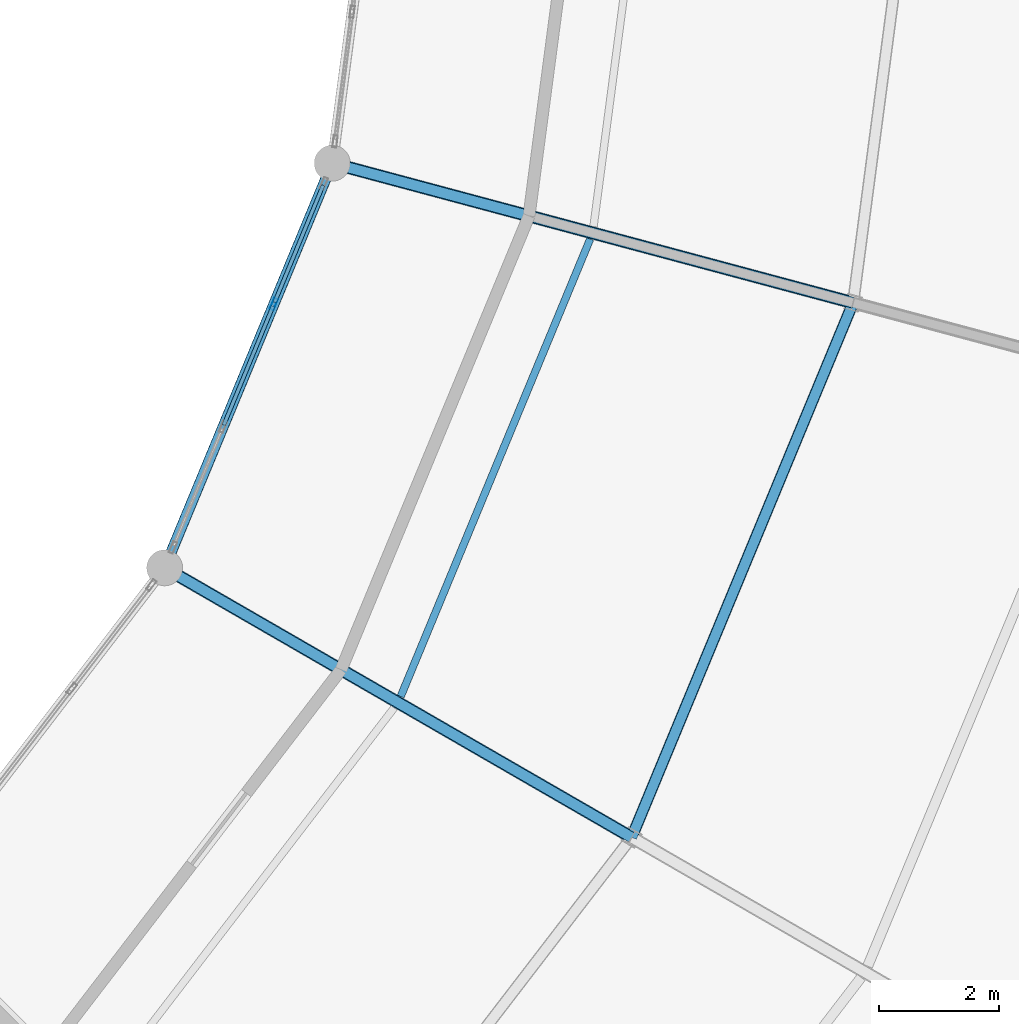
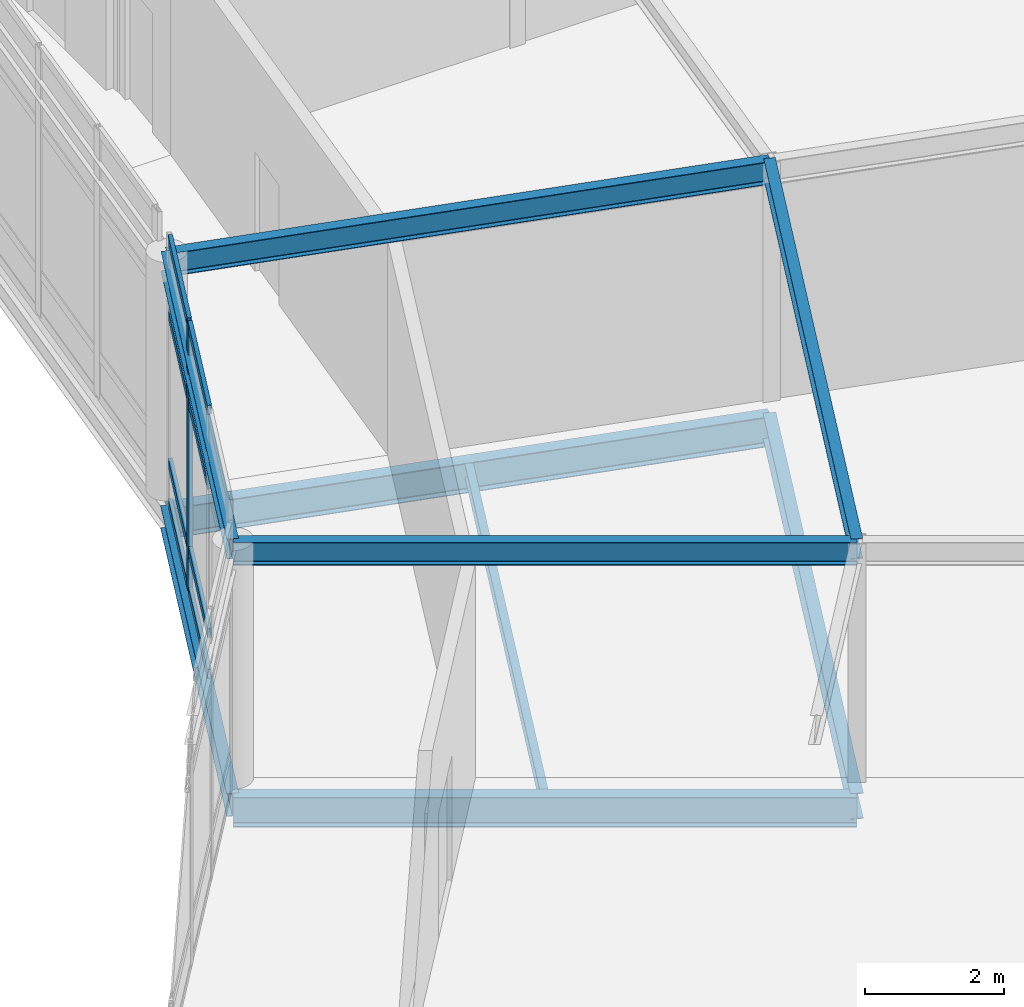
# One storey, part 110 of 185: 9 beams, 9 members, 1 element without a shape of its own.
"""IFC4 building model written with IfcOpenShell, lengths in metres."""

from ifc_helpers import new_model, si_unit, direction, frame, origin, origin_2d, place, context, subcontext, project, spatial, hollow_rectangle, i_section, extrude, material, material_profile, profile_set, type_object, element, aggregate, save


model = new_model("IFC4")

# Units and contexts
model_context = context("Model", 3, precision=1e-05, world=origin(), true_north=direction((0.0, 1.0)))
body_context = subcontext(model_context, "Body", "Model", "MODEL_VIEW")
ifc_project = project(units=[si_unit("LENGTHUNIT", "METRE"), si_unit("AREAUNIT", "SQUARE_METRE"), si_unit("VOLUMEUNIT", "CUBIC_METRE"), si_unit("PLANEANGLEUNIT", "RADIAN"), si_unit("MASSUNIT", "GRAM", prefix="KILO")], contexts=[model_context])

# Site, building, storey
site_placement = place(None, origin())
site = spatial("IfcSite", under=ifc_project, at=site_placement, CompositionType="ELEMENT")
building_placement = place(site_placement, origin())
building = spatial("IfcBuilding", under=site, at=building_placement, Name="Vondelvale Polytechnic", CompositionType="ELEMENT")
storey_placement = place(building_placement, frame((0.0, 0.0, 9.60009765625)))
storey = spatial("IfcBuildingStorey", under=building, at=storey_placement, Name="L02", CompositionType="ELEMENT", Elevation=9.60009765625)

# Beams
ifc_material_1 = material(Name="Steel 300PLUS (fy = 300 MPa)", Category="steel")
ifc_material_profile_1 = material_profile(ifc_material_1, i_section(OverallWidth=0.1708984375, OverallDepth=0.35205078125, WebThickness=0.0068359375, FlangeThickness=0.009765625, FilletRadius=0.011474609375, at=origin_2d()), Name="360UB44.7")
ifc_profile_set_1 = profile_set([ifc_material_profile_1], Name="Steel 300PLUS (fy = 300 MPa)")
beam_type_1 = type_object("IfcBeamType", Name="BM-UB360L", PredefinedType="BEAM", material=ifc_profile_set_1)
beam_1_placement = place(storey_placement, frame((126.248779296875, 58.0, 4.02392578125), z_axis=(0.382667428841, 0.923886161226, 0.0), x_axis=(-0.923886161226, 0.382667428841, 0.0)))
element("IfcBeam", 1, at=beam_1_placement, inside=storey, type_object=beam_type_1, Name="L02 RE B-24", PredefinedType="BEAM", context=body_context, shape_type="SweptSolid", body=[
    extrude(i_section(OverallWidth=0.1708984375, OverallDepth=0.35205078125, WebThickness=0.0068359375, FlangeThickness=0.009765625, FilletRadius=0.011474609375, at=origin_2d()), origin(), (0.0, 0.0, 1.0), 7.3095703125),
])
beam_2_placement = place(storey_placement, frame((134.04296875, 53.5, 4.02392578125), z_axis=(0.38268516011, 0.923878816854, 0.0), x_axis=(-0.923878816854, 0.38268516011, 0.0)))
element("IfcBeam", 2, at=beam_2_placement, inside=storey, type_object=beam_type_1, Name="L02 RE B-24", PredefinedType="BEAM", context=body_context, shape_type="SweptSolid", body=[
    extrude(i_section(OverallWidth=0.1708984375, OverallDepth=0.35205078125, WebThickness=0.0068359375, FlangeThickness=0.009765625, FilletRadius=0.011474609375, at=origin_2d()), origin(), (0.0, 0.0, 1.0), 9.658935546875),
])
ifc_material_profile_2 = material_profile(ifc_material_1, i_section(OverallWidth=0.177978515625, OverallDepth=0.403076171875, WebThickness=0.007568359375, FlangeThickness=0.010986328125, FilletRadius=0.011474609375, at=origin_2d()), Name="410UB53.7")
ifc_profile_set_2 = profile_set([ifc_material_profile_2], Name="Steel 300PLUS (fy = 300 MPa)")
beam_type_2 = type_object("IfcBeamType", Name="BM-UB410L", PredefinedType="BEAM", material=ifc_profile_set_2)
beam_3_placement = place(storey_placement, frame((126.248779296875, 58.0, -0.481689453125), z_axis=(0.382667428841, 0.923886161226, 0.0), x_axis=(-0.923886161226, 0.382667428841, 0.0)))
element("IfcBeam", 3, at=beam_3_placement, inside=storey, type_object=beam_type_2, Name="L02 RB B-23", PredefinedType="BEAM", context=body_context, shape_type="SweptSolid", body=[
    extrude(i_section(OverallWidth=0.177978515625, OverallDepth=0.403076171875, WebThickness=0.007568359375, FlangeThickness=0.010986328125, FilletRadius=0.011474609375, at=origin_2d()), origin(), (0.0, 0.0, 1.0), 7.3095703125),
])
for number, where, z_axis, x_axis, name in (
    (4, (126.248779296875, 58.0, 3.998291015625), (0.866024315419, -0.5000018851, 0.0), (0.5000018851, 0.866024315419, 0.0), "L02 REG B-23"),
    (5, (129.0458984375, 64.753173828125, 3.998291015625), (0.965919958881, -0.258840941576, 0.0), (0.258840941576, 0.965919958881, 0.0), "L02 REG B-23"),
):
    element("IfcBeam", number, at=place(storey_placement, frame(where, z_axis=z_axis, x_axis=x_axis)), inside=storey, type_object=beam_type_2, Name=name, PredefinedType="BEAM", context=body_context, shape_type="SweptSolid", body=[
        extrude(i_section(OverallWidth=0.177978515625, OverallDepth=0.403076171875, WebThickness=0.007568359375, FlangeThickness=0.010986328125, FilletRadius=0.011474609375, at=origin_2d()), origin(), (0.0, 0.0, 1.0), 9.0),
    ])
ifc_material_profile_3 = material_profile(ifc_material_1, i_section(OverallWidth=0.18994140625, OverallDepth=0.4541015625, WebThickness=0.008544921875, FlangeThickness=0.0126953125, FilletRadius=0.011474609375, at=origin_2d()), Name="460UB67.1")
ifc_profile_set_3 = profile_set([ifc_material_profile_3], Name="Steel 300PLUS (fy = 300 MPa)")
beam_type_3 = type_object("IfcBeamType", Name="BM-UB460L", PredefinedType="BEAM", material=ifc_profile_set_3)
beam_4_placement = place(storey_placement, frame((134.04296875, 53.5, -0.507080078125), z_axis=(0.38268516011, 0.923878816854, 0.0), x_axis=(-0.923878816854, 0.38268516011, 0.0)))
element("IfcBeam", 6, at=beam_4_placement, inside=storey, type_object=beam_type_3, Name="L02 RB B-22", PredefinedType="BEAM", context=body_context, shape_type="SweptSolid", body=[
    extrude(i_section(OverallWidth=0.18994140625, OverallDepth=0.4541015625, WebThickness=0.008544921875, FlangeThickness=0.0126953125, FilletRadius=0.011474609375, at=origin_2d()), origin(), (0.0, 0.0, 1.0), 9.658935546875),
])
ifc_material_profile_4 = material_profile(ifc_material_1, i_section(OverallWidth=0.208984375, OverallDepth=0.528076171875, WebThickness=0.009521484375, FlangeThickness=0.01318359375, FilletRadius=0.013916015625, at=origin_2d()), Name="530UB82.0")
ifc_profile_set_4 = profile_set([ifc_material_profile_4], Name="Steel 300PLUS (fy = 300 MPa)")
beam_type_4 = type_object("IfcBeamType", Name="BM-UB530L", PredefinedType="BEAM", material=ifc_profile_set_4)
for number, where, z_axis, x_axis, name in (
    (7, (126.248779296875, 58.0, -0.544189453125), (0.866024315419, -0.5000018851, 0.0), (0.5000018851, 0.866024315419, 0.0), "L02 RG B-21"),
    (8, (129.0458984375, 64.753173828125, -0.544189453125), (0.965919958881, -0.258840941576, 0.0), (0.258840941576, 0.965919958881, 0.0), "L02 RG B-21"),
):
    element("IfcBeam", number, at=place(storey_placement, frame(where, z_axis=z_axis, x_axis=x_axis)), inside=storey, type_object=beam_type_4, Name=name, PredefinedType="BEAM", context=body_context, shape_type="SweptSolid", body=[
        extrude(i_section(OverallWidth=0.208984375, OverallDepth=0.528076171875, WebThickness=0.009521484375, FlangeThickness=0.01318359375, FilletRadius=0.013916015625, at=origin_2d()), origin(), (0.0, 0.0, 1.0), 9.0),
    ])

# Curtain wall, members
ifc_material_2 = material(Name="Anodised extruded aluminium 6063-T6", Category="aluminium")
curtain_wall_type = type_object("IfcCurtainWallType", Name="CW-RING-CLOISTER", PredefinedType="NOTDEFINED", material=ifc_material_2)
curtain_wall_placement = place(storey_placement, origin())
curtain_wall = element("IfcCurtainWall", 9, at=curtain_wall_placement, inside=storey, type_object=curtain_wall_type, Name="L02 architectural curtain wall CW-03-366", PredefinedType="NOTDEFINED")
ifc_material_profile_5 = material_profile(ifc_material_2, hollow_rectangle(XDim=0.070068359375, YDim=0.199951171875, WallThickness=0.00390625, at=origin_2d()), Name="CW-MUL-200x70")
ifc_profile_set_5 = profile_set([ifc_material_profile_5], Name="Anodised extruded aluminium 6063-T6")
member_type_1 = type_object("IfcMemberType", Name="CW-MUL-70x200", PredefinedType="MULLION", material=ifc_profile_set_5)
member_1_placement = place(storey_placement, frame((128.0712890625, 62.400390625, 0.0), z_axis=(0.0, 0.0, 1.0), x_axis=(-0.923881562419, 0.382678531697, 0.0)))
member_1 = element("IfcMember", 10, at=member_1_placement, type_object=member_type_1, Name="CW-03-366 mullion 3", PredefinedType="MULLION", context=body_context, shape_type="SweptSolid", body=[
    extrude(hollow_rectangle(XDim=0.070068359375, YDim=0.199951171875, WallThickness=0.00390625, at=origin_2d()), origin(), (0.0, 0.0, 1.0), 4.713134765625),
])
ifc_material_profile_6 = material_profile(ifc_material_2, hollow_rectangle(XDim=0.06494140625, YDim=0.159912109375, WallThickness=0.00341796875, at=origin_2d()), Name="CW-TRN-160x65")
ifc_profile_set_6 = profile_set([ifc_material_profile_6], Name="Anodised extruded aluminium 6063-T6")
member_type_2 = type_object("IfcMemberType", Name="CW-TRN-70x160", PredefinedType="USERDEFINED", material=ifc_profile_set_6)
member_2_placement = place(storey_placement, frame((127.236572265625, 60.385009765625, 0.032470703125), z_axis=(0.382716752649, 0.923865730094, 0.0), x_axis=(-0.923865730094, 0.382716752649, 0.0)))
member_2 = element("IfcMember", 11, at=member_2_placement, type_object=member_type_2, Name="CW-03-366 transom 2.1", ObjectType="TRANSOM", PredefinedType="USERDEFINED", context=body_context, shape_type="SweptSolid", body=[
    extrude(hollow_rectangle(XDim=0.06494140625, YDim=0.159912109375, WallThickness=0.00341796875, at=origin_2d()), origin(), (0.0, 0.0, 1.0), 2.146484375),
])
member_3_placement = place(storey_placement, frame((127.236572265625, 60.385009765625, 0.75), z_axis=(0.382716752649, 0.923865730094, 0.0), x_axis=(-0.923865730094, 0.382716752649, 0.0)))
member_3 = element("IfcMember", 12, at=member_3_placement, type_object=member_type_2, Name="CW-03-366 transom 2.2", ObjectType="TRANSOM", PredefinedType="USERDEFINED", context=body_context, shape_type="SweptSolid", body=[
    extrude(hollow_rectangle(XDim=0.06494140625, YDim=0.159912109375, WallThickness=0.00341796875, at=origin_2d()), origin(), (0.0, 0.0, 1.0), 2.146484375),
])
member_4_placement = place(storey_placement, frame((127.236572265625, 60.385009765625, 3.363037109375), z_axis=(0.382716752649, 0.923865730094, 0.0), x_axis=(-0.923865730094, 0.382716752649, 0.0)))
member_4 = element("IfcMember", 13, at=member_4_placement, type_object=member_type_2, Name="CW-03-366 transom 2.3", ObjectType="TRANSOM", PredefinedType="USERDEFINED", context=body_context, shape_type="SweptSolid", body=[
    extrude(hollow_rectangle(XDim=0.06494140625, YDim=0.159912109375, WallThickness=0.00341796875, at=origin_2d()), origin(), (0.0, 0.0, 1.0), 2.146484375),
])
member_5_placement = place(storey_placement, frame((127.236572265625, 60.385009765625, 4.6806640625), z_axis=(0.382716752649, 0.923865730094, 0.0), x_axis=(-0.923865730094, 0.382716752649, 0.0)))
member_5 = element("IfcMember", 14, at=member_5_placement, type_object=member_type_2, Name="CW-03-366 transom 2.4", ObjectType="TRANSOM", PredefinedType="USERDEFINED", context=body_context, shape_type="SweptSolid", body=[
    extrude(hollow_rectangle(XDim=0.06494140625, YDim=0.159912109375, WallThickness=0.00341796875, at=origin_2d()), origin(), (0.0, 0.0, 1.0), 2.146484375),
])
member_6_placement = place(storey_placement, frame((128.084716796875, 62.432861328125, 0.032470703125), z_axis=(0.382726229306, 0.923861804277, 0.0), x_axis=(-0.923861804277, 0.382726229306, 0.0)))
member_6 = element("IfcMember", 15, at=member_6_placement, type_object=member_type_2, Name="CW-03-366 transom 3.1", ObjectType="TRANSOM", PredefinedType="USERDEFINED", context=body_context, shape_type="SweptSolid", body=[
    extrude(hollow_rectangle(XDim=0.06494140625, YDim=0.159912109375, WallThickness=0.00341796875, at=origin_2d()), origin(), (0.0, 0.0, 1.0), 2.111328125),
])
member_7_placement = place(storey_placement, frame((128.084716796875, 62.432861328125, 0.75), z_axis=(0.382726229306, 0.923861804277, 0.0), x_axis=(-0.923861804277, 0.382726229306, 0.0)))
member_7 = element("IfcMember", 16, at=member_7_placement, type_object=member_type_2, Name="CW-03-366 transom 3.2", ObjectType="TRANSOM", PredefinedType="USERDEFINED", context=body_context, shape_type="SweptSolid", body=[
    extrude(hollow_rectangle(XDim=0.06494140625, YDim=0.159912109375, WallThickness=0.00341796875, at=origin_2d()), origin(), (0.0, 0.0, 1.0), 2.111328125),
])
member_8_placement = place(storey_placement, frame((128.084716796875, 62.432861328125, 3.363037109375), z_axis=(0.382726229306, 0.923861804277, 0.0), x_axis=(-0.923861804277, 0.382726229306, 0.0)))
member_8 = element("IfcMember", 17, at=member_8_placement, type_object=member_type_2, Name="CW-03-366 transom 3.3", ObjectType="TRANSOM", PredefinedType="USERDEFINED", context=body_context, shape_type="SweptSolid", body=[
    extrude(hollow_rectangle(XDim=0.06494140625, YDim=0.159912109375, WallThickness=0.00341796875, at=origin_2d()), origin(), (0.0, 0.0, 1.0), 2.111328125),
])
member_9_placement = place(storey_placement, frame((128.084716796875, 62.432861328125, 4.6806640625), z_axis=(0.382726229306, 0.923861804277, 0.0), x_axis=(-0.923861804277, 0.382726229306, 0.0)))
member_9 = element("IfcMember", 18, at=member_9_placement, type_object=member_type_2, Name="CW-03-366 transom 3.4", ObjectType="TRANSOM", PredefinedType="USERDEFINED", context=body_context, shape_type="SweptSolid", body=[
    extrude(hollow_rectangle(XDim=0.06494140625, YDim=0.159912109375, WallThickness=0.00341796875, at=origin_2d()), origin(), (0.0, 0.0, 1.0), 2.111328125),
])
aggregate(curtain_wall, [member_1, member_2, member_3, member_4, member_5, member_6, member_7, member_8, member_9])

# Beam
ifc_material_profile_7 = material_profile(ifc_material_1, i_section(OverallWidth=0.1240234375, OverallDepth=0.248046875, WebThickness=0.0048828125, FlangeThickness=0.008056640625, FilletRadius=0.0087890625, at=origin_2d()), Name="250UB25.7")
ifc_profile_set_7 = profile_set([ifc_material_profile_7], Name="Steel 300PLUS (fy = 300 MPa)")
beam_type_5 = type_object("IfcBeamType", Name="JST-UB250L", PredefinedType="JOIST", material=ifc_profile_set_7)
beam_5_placement = place(storey_placement, frame((130.18798828125, 55.8515625, -0.404052734375), z_axis=(0.38268053388, 0.923880733098, 0.0), x_axis=(-0.923880733098, 0.38268053388, 0.0)))
element("IfcBeam", 19, at=beam_5_placement, inside=storey, type_object=beam_type_5, Name="L02 RJ J-08", PredefinedType="JOIST", context=body_context, shape_type="SweptSolid", body=[
    extrude(i_section(OverallWidth=0.1240234375, OverallDepth=0.248046875, WebThickness=0.0048828125, FlangeThickness=0.008056640625, FilletRadius=0.0087890625, at=origin_2d()), origin(), (0.0, 0.0, 1.0), 8.264404296875),
])

save(model, "model.ifc")
